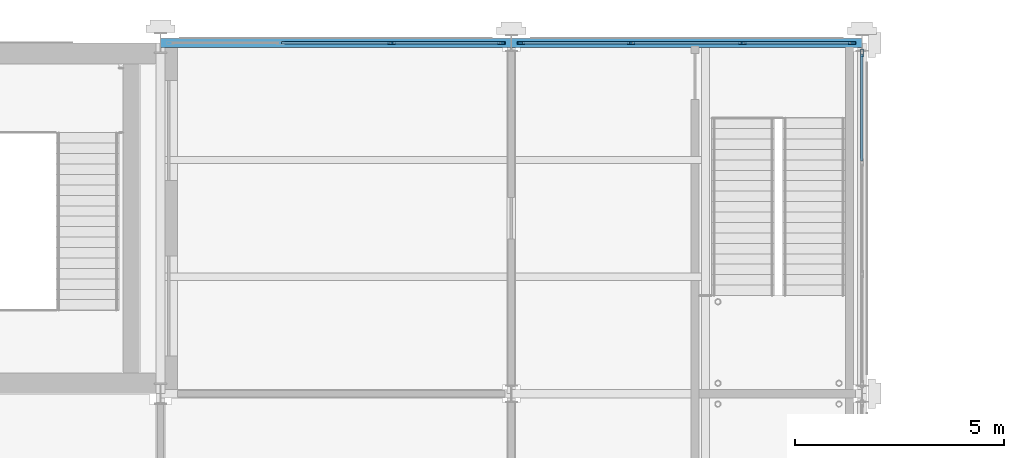
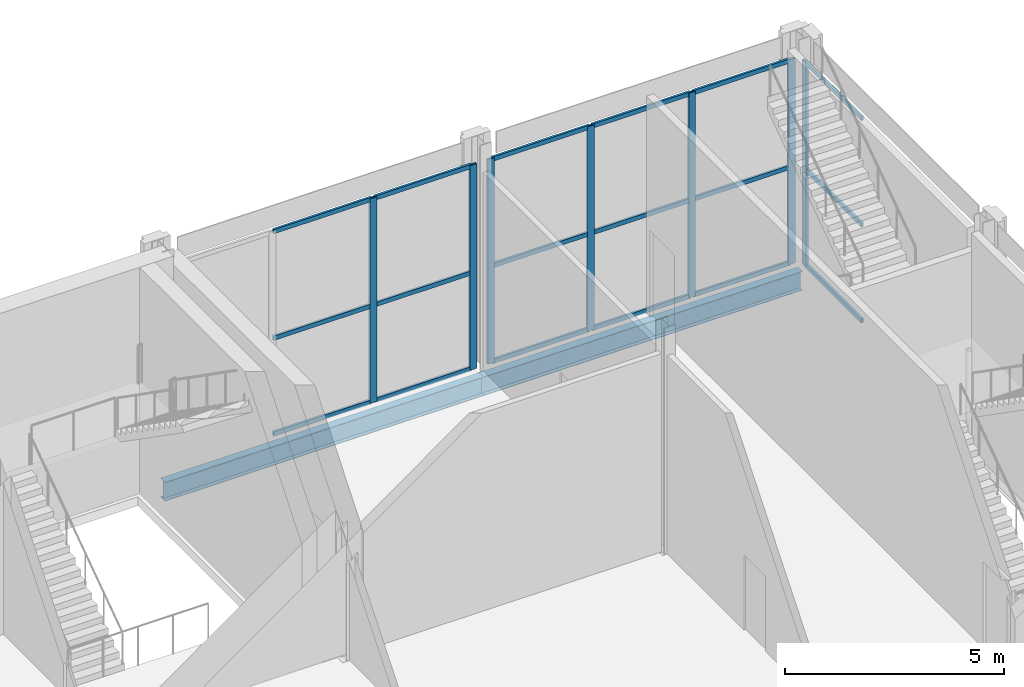
# One storey, part 43 of 77: 25 members, 2 beams, 3 elements without a shape of their own.
"""IFC4 building model written with IfcOpenShell, lengths in metres."""

import ifcopenshell
import ifcopenshell.guid

model = None  # the IFC model being written
_history = None  # IfcOwnerHistory: only IFC2X3 demands one
_inside = {}  # id of a spatial element -> (the spatial element, [elements in it])
_under = {}  # id of a project, library or spatial element -> (it, [spatial elements below it])
_declared = {}  # id of a project -> (the project, [libraries it declares])
_typed = {}  # id of a type object -> (the type object, [elements of that type])
_made_of = {}  # id of a material, layer set ... -> (it, [elements and type objects made of it])


def new_model(schema):
    """Start an empty IFC model of exactly this schema.

    Asked for "IFC4X3", IfcOpenShell would pick the latest addendum, in which some entities
    have other attributes; the version numbers below select the first issue.
    IFC2X3 requires an IfcOwnerHistory on every rooted entity: one is made here for all.
    """
    global model, _history
    if schema == "IFC4X3":
        model = ifcopenshell.file(schema_version=(4, 3, 0, 0))
    else:
        model = ifcopenshell.file(schema=schema)
    _inside.clear()
    _under.clear()
    _declared.clear()
    _typed.clear()
    _made_of.clear()
    _history = None
    if model.schema == "IFC2X3":
        org = make("IfcOrganization", Name="unknown")
        user = make(
            "IfcPersonAndOrganization",
            ThePerson=make("IfcPerson", FamilyName="unknown"),
            TheOrganization=org,
        )
        app = make(
            "IfcApplication",
            ApplicationDeveloper=org,
            Version="unknown",
            ApplicationFullName="unknown",
            ApplicationIdentifier="unknown",
        )
        _history = make(
            "IfcOwnerHistory",
            OwningUser=user,
            OwningApplication=app,
            ChangeAction="ADDED",
            CreationDate=0,
        )
    return model


def make(cls, **values):
    """One entity of the class cls with the attributes given. An attribute that is None is left unset."""
    return model.create_entity(
        cls, **{name: value for name, value in values.items() if value is not None}
    )


def rooted(cls, **values):
    """An entity with a GlobalId (a new one), such as an element, a storey or a relation."""
    return make(cls, GlobalId=ifcopenshell.guid.new(), OwnerHistory=_history, **values)


def si_unit(unit_type, name, prefix=None):
    """IfcSIUnit, for example si_unit("LENGTHUNIT", "METRE", prefix="MILLI")."""
    return make("IfcSIUnit", UnitType=unit_type, Prefix=prefix, Name=name)


def assignment(units):
    """IfcUnitAssignment: the units of a project."""
    return None if units is None else make("IfcUnitAssignment", Units=units)


def point(xyz):
    """IfcCartesianPoint."""
    return None if xyz is None else make("IfcCartesianPoint", Coordinates=xyz)


def direction(xyz):
    """IfcDirection."""
    return None if xyz is None else make("IfcDirection", DirectionRatios=xyz)


def frame(location, z_axis=None, x_axis=None):
    """IfcAxis2Placement3D, a coordinate frame: its origin and axes. An axis left out is left unset."""
    return make(
        "IfcAxis2Placement3D",
        Location=point(location),
        Axis=direction(z_axis),
        RefDirection=direction(x_axis),
    )


def frame_2d(location, x_axis=None):
    """IfcAxis2Placement2D, a coordinate frame in the plane: its origin and x axis."""
    return make(
        "IfcAxis2Placement2D", Location=point(location), RefDirection=direction(x_axis)
    )


def origin():
    """The frame at (0, 0, 0) with its axes left unset."""
    return frame((0.0, 0.0, 0.0))


def origin_2d():
    """The frame at (0, 0) in the plane with its x axis left unset."""
    return frame_2d((0.0, 0.0))


def place(relative_to, where):
    """IfcLocalPlacement: puts the frame where relative to a parent placement (None: the world)."""
    return make(
        "IfcLocalPlacement", PlacementRelTo=relative_to, RelativePlacement=where
    )


def context(
    kind, dimensions, precision=None, world=None, true_north=None, identifier=None
):
    """IfcGeometricRepresentationContext, for example the 3D "Model" context."""
    return make(
        "IfcGeometricRepresentationContext",
        ContextIdentifier=identifier,
        ContextType=kind,
        CoordinateSpaceDimension=dimensions,
        Precision=precision,
        WorldCoordinateSystem=world,
        TrueNorth=true_north,
    )


def subcontext(parent, identifier, kind, view, scale=None):
    """IfcGeometricRepresentationSubContext, for example "Body" below "Model"."""
    return make(
        "IfcGeometricRepresentationSubContext",
        ContextIdentifier=identifier,
        ContextType=kind,
        ParentContext=parent,
        TargetScale=scale,
        TargetView=view,
    )


def project(units=None, contexts=None):
    """IfcProject with its units and contexts."""
    return rooted(
        "IfcProject",
        Name="project",
        RepresentationContexts=contexts,
        UnitsInContext=assignment(units),
    )


def spatial(cls, under=None, at=None, **own):
    """A site, building, storey or space (cls), placed at a placement, below another one or the project."""
    s = rooted(cls, ObjectPlacement=at, **own)
    if under is not None:
        _under.setdefault(under.id(), (under, []))[1].append(s)
    return s


def profile(cls, at=None, kind="AREA", **sizes):
    """A parametric profile (cls). Its sizes go by their IFC names, for example OverallWidth=200.0."""
    return make(cls, ProfileType=kind, Position=at, **sizes)


def hollow_rectangle(**sizes):
    """IfcRectangleHollowProfileDef."""
    return profile("IfcRectangleHollowProfileDef", **sizes)


def i_section(**sizes):
    """IfcIShapeProfileDef."""
    return profile("IfcIShapeProfileDef", **sizes)


def extrude(swept, where, along, depth):
    """IfcExtrudedAreaSolid: the profile swept, set in the frame where, extruded along a direction by depth."""
    return make(
        "IfcExtrudedAreaSolid",
        SweptArea=swept,
        Position=where,
        ExtrudedDirection=direction(along),
        Depth=depth,
    )


def shape(context_of_items, identifier, shape_type, items):
    """IfcShapeRepresentation: the items that make up one representation, for example the "Body"."""
    return make(
        "IfcShapeRepresentation",
        ContextOfItems=context_of_items,
        RepresentationIdentifier=identifier,
        RepresentationType=shape_type,
        Items=items,
    )


def material(Name=None, Category=None):
    """IfcMaterial."""
    return make("IfcMaterial", Name=Name, Category=Category)


def material_profile(
    of_material, cross_section, Name=None, Category=None, Priority=None
):
    """IfcMaterialProfile: a cross section and its material."""
    return make(
        "IfcMaterialProfile",
        Name=Name,
        Material=of_material,
        Profile=cross_section,
        Priority=Priority,
        Category=Category,
    )


def profile_set(profiles, Name=None, composite=None):
    """IfcMaterialProfileSet."""
    return make(
        "IfcMaterialProfileSet",
        Name=Name,
        MaterialProfiles=profiles,
        CompositeProfile=composite,
    )


def made_of(thing, what):
    """Note that an element or type object is made of a material, layer set ...; save() writes the relation."""
    if what is not None:
        _made_of.setdefault(what.id(), (what, []))[1].append(thing)
    return thing


def type_object(cls, material=None, **own):
    """A type object (cls), such as IfcWallType, which elements share."""
    return made_of(rooted(cls, **own), material)


def element(
    cls,
    number,
    at=None,
    inside=None,
    cuts=None,
    type_object=None,
    material=None,
    context=None,
    identifier="Body",
    shape_type=None,
    held_by="IfcProductDefinitionShape",
    body=None,
    shapes=None,
    **own,
):
    """One element of the class cls, such as IfcWall. Its Tag is "e" and its number.

    at: its placement. inside: the storey or other place that contains it. cuts: it is an
    opening in that element (IfcRelVoidsElement). A single representation is given by context,
    identifier, shape_type and body (its items); several are given by shapes. held_by: the class
    of the entity that holds the representations. save() writes the other relations.
    """
    e = rooted(cls, Tag="e%d" % number, ObjectPlacement=at, **own)
    if body is not None:
        shapes = [shape(context, identifier, shape_type, body)]
    if shapes is not None:
        e.Representation = make(held_by, Representations=shapes)
    if inside is not None:
        _inside.setdefault(inside.id(), (inside, []))[1].append(e)
    if cuts is not None:
        rooted(
            "IfcRelVoidsElement", RelatingBuildingElement=cuts, RelatedOpeningElement=e
        )
    if type_object is not None:
        _typed.setdefault(type_object.id(), (type_object, []))[1].append(e)
    return made_of(e, material)


def aggregate(whole, parts):
    """IfcRelAggregates: a whole, such as a stair, and the parts it consists of."""
    return rooted("IfcRelAggregates", RelatingObject=whole, RelatedObjects=parts)


def save(model, path):
    """Write the relations noted so far, then the file.

    IfcRelAggregates (storeys below a building ...), IfcRelContainedInSpatialStructure (elements
    in a storey), IfcRelDefinesByType, IfcRelAssociatesMaterial and IfcRelDeclares: one each for
    every whole, place, type object, material and project.
    """
    for whole, parts in _under.values():
        aggregate(whole, parts)
    for where, things in _inside.values():
        rooted(
            "IfcRelContainedInSpatialStructure",
            RelatedElements=things,
            RelatingStructure=where,
        )
    for kind, things in _typed.values():
        rooted("IfcRelDefinesByType", RelatedObjects=things, RelatingType=kind)
    for what, things in _made_of.values():
        rooted("IfcRelAssociatesMaterial", RelatedObjects=things, RelatingMaterial=what)
    for by, libraries in _declared.values():
        rooted("IfcRelDeclares", RelatingContext=by, RelatedDefinitions=libraries)
    model.write(path)


model = new_model("IFC4")

# Units and contexts
model_context = context("Model", 3, precision=1e-05, world=origin(), true_north=direction((0.0, 1.0)))
body_context = subcontext(model_context, "Body", "Model", "MODEL_VIEW")
ifc_project = project(units=[si_unit("LENGTHUNIT", "METRE"), si_unit("AREAUNIT", "SQUARE_METRE"), si_unit("VOLUMEUNIT", "CUBIC_METRE"), si_unit("PLANEANGLEUNIT", "RADIAN"), si_unit("MASSUNIT", "GRAM", prefix="KILO")], contexts=[model_context])

# Site, building, storey
site_placement = place(None, origin())
site = spatial("IfcSite", under=ifc_project, at=site_placement, CompositionType="ELEMENT")
building_placement = place(site_placement, origin())
building = spatial("IfcBuilding", under=site, at=building_placement, Name="Catenary Quay Ferry Terminal", CompositionType="ELEMENT")
storey_placement = place(building_placement, frame((0.0, 0.0, 10.800048828125)))
storey = spatial("IfcBuildingStorey", under=building, at=storey_placement, Name="L02", CompositionType="ELEMENT", Elevation=10.800048828125)

# Beams
ifc_material_1 = material(Name="Steel S355", Category="steel")
ifc_material_profile_1 = material_profile(ifc_material_1, i_section(OverallWidth=0.208740234375, OverallDepth=0.5283203125, WebThickness=0.009521484375, FlangeThickness=0.01318359375, at=origin_2d()), Name="UB 533x210x82")
ifc_profile_set_1 = profile_set([ifc_material_profile_1], Name="Steel S355")
beam_type = type_object("IfcBeamType", Name="B5 UB 533x210x82", PredefinedType="BEAM", material=ifc_profile_set_1)
beam_1_placement = place(storey_placement, frame((50.39990234375, 210.0, -0.51416015625), z_axis=(1.0, 0.0, 0.0), x_axis=(0.0, 1.0, 0.0)))
element("IfcBeam", 1, at=beam_1_placement, inside=storey, type_object=beam_type, Name="Beam B5-022", PredefinedType="BEAM", context=body_context, shape_type="SweptSolid", body=[
    extrude(i_section(OverallWidth=0.208740234375, OverallDepth=0.5283203125, WebThickness=0.009521484375, FlangeThickness=0.01318359375, at=origin_2d()), origin(), (0.0, 0.0, 1.0), 8.400146484375),
])
beam_2_placement = place(storey_placement, frame((58.800048828125, 210.0, -0.51416015625), z_axis=(1.0, 0.0, 0.0), x_axis=(0.0, 1.0, 0.0)))
element("IfcBeam", 2, at=beam_2_placement, inside=storey, type_object=beam_type, Name="Beam B5-023", PredefinedType="BEAM", context=body_context, shape_type="SweptSolid", body=[
    extrude(i_section(OverallWidth=0.208740234375, OverallDepth=0.5283203125, WebThickness=0.009521484375, FlangeThickness=0.01318359375, at=origin_2d()), origin(), (0.0, 0.0, 1.0), 8.39990234375),
])

# Curtain wall, member
ifc_material_2 = material(Name="Aluminium and glass", Category="aluminium")
curtain_wall_type = type_object("IfcCurtainWallType", Name="CWW2", PredefinedType="NOTDEFINED", material=ifc_material_2)
curtain_wall_1_placement = place(storey_placement, origin())
curtain_wall_1 = element("IfcCurtainWall", 3, at=curtain_wall_1_placement, inside=storey, type_object=curtain_wall_type, Name="Wing curtain wall CW135", PredefinedType="NOTDEFINED")
ifc_material_3 = material(Name="Aluminium", Category="aluminium")
ifc_material_profile_2 = material_profile(ifc_material_3, hollow_rectangle(XDim=0.070068359375, YDim=0.179931640625, WallThickness=0.006103515625, at=origin_2d()), Name="MU3")
ifc_profile_set_2 = profile_set([ifc_material_profile_2], Name="Aluminium")
member_type_1 = type_object("IfcMemberType", Name="MU3", PredefinedType="MULLION", material=ifc_profile_set_2)
member_1_placement = place(storey_placement, frame((67.199951171875, 209.764892578125, 0.0), z_axis=(0.0, 0.0, 1.0), x_axis=(-1.0, 0.0, 0.0)))
member_1 = element("IfcMember", 4, at=member_1_placement, type_object=member_type_1, Name="CW135 mullion 4", PredefinedType="MULLION", context=body_context, shape_type="SweptSolid", body=[
    extrude(hollow_rectangle(XDim=0.070068359375, YDim=0.179931640625, WallThickness=0.006103515625, at=origin_2d()), origin(), (0.0, 0.0, 1.0), 5.699951171875),
])

# Curtain wall, members
curtain_wall_2_placement = place(storey_placement, origin())
curtain_wall_2 = element("IfcCurtainWall", 5, at=curtain_wall_2_placement, inside=storey, type_object=curtain_wall_type, Name="Wing curtain wall CW136", PredefinedType="NOTDEFINED")
member_2_placement = place(storey_placement, frame((55.933349609375, 210.0, 0.0), z_axis=(0.0, 0.0, 1.0), x_axis=(0.0, 1.0, 0.0)))
member_2 = element("IfcMember", 6, at=member_2_placement, type_object=member_type_1, Name="CW136 mullion 3", PredefinedType="MULLION", context=body_context, shape_type="SweptSolid", body=[
    extrude(hollow_rectangle(XDim=0.070068359375, YDim=0.179931640625, WallThickness=0.006103515625, at=origin_2d()), origin(), (0.0, 0.0, 1.0), 5.699951171875),
])
member_3_placement = place(storey_placement, frame((58.56494140625, 210.0, 0.0), z_axis=(0.0, 0.0, 1.0), x_axis=(0.0, 1.0, 0.0)))
member_3 = element("IfcMember", 7, at=member_3_placement, type_object=member_type_1, Name="CW136 mullion 4", PredefinedType="MULLION", context=body_context, shape_type="SweptSolid", body=[
    extrude(hollow_rectangle(XDim=0.070068359375, YDim=0.179931640625, WallThickness=0.006103515625, at=origin_2d()), origin(), (0.0, 0.0, 1.0), 5.699951171875),
])

curtain_wall_3_placement = place(storey_placement, origin())
curtain_wall_3 = element("IfcCurtainWall", 8, at=curtain_wall_3_placement, inside=storey, type_object=curtain_wall_type, Name="Wing curtain wall CW137", PredefinedType="NOTDEFINED")
member_4_placement = place(storey_placement, frame((59.034912109375, 210.0, 0.0), z_axis=(0.0, 0.0, 1.0), x_axis=(0.0, 1.0, 0.0)))
member_4 = element("IfcMember", 9, at=member_4_placement, type_object=member_type_1, Name="CW137 mullion 1", PredefinedType="MULLION", context=body_context, shape_type="SweptSolid", body=[
    extrude(hollow_rectangle(XDim=0.070068359375, YDim=0.179931640625, WallThickness=0.006103515625, at=origin_2d()), origin(), (0.0, 0.0, 1.0), 5.699951171875),
])
member_5_placement = place(storey_placement, frame((61.666748046875, 210.0, 0.0), z_axis=(0.0, 0.0, 1.0), x_axis=(0.0, 1.0, 0.0)))
member_5 = element("IfcMember", 10, at=member_5_placement, type_object=member_type_1, Name="CW137 mullion 2", PredefinedType="MULLION", context=body_context, shape_type="SweptSolid", body=[
    extrude(hollow_rectangle(XDim=0.070068359375, YDim=0.179931640625, WallThickness=0.006103515625, at=origin_2d()), origin(), (0.0, 0.0, 1.0), 5.699951171875),
])
member_6_placement = place(storey_placement, frame((64.333251953125, 210.0, 0.0), z_axis=(0.0, 0.0, 1.0), x_axis=(0.0, 1.0, 0.0)))
member_6 = element("IfcMember", 11, at=member_6_placement, type_object=member_type_1, Name="CW137 mullion 3", PredefinedType="MULLION", context=body_context, shape_type="SweptSolid", body=[
    extrude(hollow_rectangle(XDim=0.070068359375, YDim=0.179931640625, WallThickness=0.006103515625, at=origin_2d()), origin(), (0.0, 0.0, 1.0), 5.699951171875),
])
member_7_placement = place(storey_placement, frame((66.965087890625, 210.0, 0.0), z_axis=(0.0, 0.0, 1.0), x_axis=(0.0, 1.0, 0.0)))
member_7 = element("IfcMember", 12, at=member_7_placement, type_object=member_type_1, Name="CW137 mullion 4", PredefinedType="MULLION", context=body_context, shape_type="SweptSolid", body=[
    extrude(hollow_rectangle(XDim=0.070068359375, YDim=0.179931640625, WallThickness=0.006103515625, at=origin_2d()), origin(), (0.0, 0.0, 1.0), 5.699951171875),
])

# Member
ifc_material_4 = material(Name="Aluminium", Category="aluminium")
ifc_material_profile_3 = material_profile(ifc_material_4, hollow_rectangle(XDim=0.06005859375, YDim=0.1201171875, WallThickness=0.0048828125, at=origin_2d()), Name="TR3")
ifc_profile_set_3 = profile_set([ifc_material_profile_3], Name="Aluminium")
member_type_2 = type_object("IfcMemberType", Name="TR3", PredefinedType="USERDEFINED", material=ifc_profile_set_3)
member_8_placement = place(storey_placement, frame((67.199951171875, 207.168212890625, 0.030029296875), z_axis=(0.0, 1.0, 0.0), x_axis=(-1.0, 0.0, 0.0)))
member_8 = element("IfcMember", 13, at=member_8_placement, type_object=member_type_2, Name="CW135 transom 3.1", ObjectType="TRANSOM", PredefinedType="USERDEFINED", context=body_context, shape_type="SweptSolid", body=[
    extrude(hollow_rectangle(XDim=0.06005859375, YDim=0.1201171875, WallThickness=0.0048828125, at=origin_2d()), origin(), (0.0, 0.0, 1.0), 2.561767578125),
])

member_9_placement = place(storey_placement, frame((67.199951171875, 207.168212890625, 2.699951171875), z_axis=(0.0, 1.0, 0.0), x_axis=(-1.0, 0.0, 0.0)))
member_9 = element("IfcMember", 14, at=member_9_placement, type_object=member_type_2, Name="CW135 transom 3.2", ObjectType="TRANSOM", PredefinedType="USERDEFINED", context=body_context, shape_type="SweptSolid", body=[
    extrude(hollow_rectangle(XDim=0.06005859375, YDim=0.1201171875, WallThickness=0.0048828125, at=origin_2d()), origin(), (0.0, 0.0, 1.0), 2.561767578125),
])

member_10_placement = place(storey_placement, frame((67.199951171875, 207.168212890625, 5.669921875), z_axis=(0.0, 1.0, 0.0), x_axis=(-1.0, 0.0, 0.0)))
member_10 = element("IfcMember", 15, at=member_10_placement, type_object=member_type_2, Name="CW135 transom 3.3", ObjectType="TRANSOM", PredefinedType="USERDEFINED", context=body_context, shape_type="SweptSolid", body=[
    extrude(hollow_rectangle(XDim=0.06005859375, YDim=0.1201171875, WallThickness=0.0048828125, at=origin_2d()), origin(), (0.0, 0.0, 1.0), 2.561767578125),
])

aggregate(curtain_wall_1, [member_1, member_8, member_9, member_10])

member_11_placement = place(storey_placement, frame((53.3017578125, 210.0, 0.030029296875), z_axis=(1.0, 0.0, 0.0), x_axis=(0.0, 1.0, 0.0)))
member_11 = element("IfcMember", 16, at=member_11_placement, type_object=member_type_2, Name="CW136 transom 2.1", ObjectType="TRANSOM", PredefinedType="USERDEFINED", context=body_context, shape_type="SweptSolid", body=[
    extrude(hollow_rectangle(XDim=0.06005859375, YDim=0.1201171875, WallThickness=0.0048828125, at=origin_2d()), origin(), (0.0, 0.0, 1.0), 2.5966796875),
])

member_12_placement = place(storey_placement, frame((53.3017578125, 210.0, 2.699951171875), z_axis=(1.0, 0.0, 0.0), x_axis=(0.0, 1.0, 0.0)))
member_12 = element("IfcMember", 17, at=member_12_placement, type_object=member_type_2, Name="CW136 transom 2.2", ObjectType="TRANSOM", PredefinedType="USERDEFINED", context=body_context, shape_type="SweptSolid", body=[
    extrude(hollow_rectangle(XDim=0.06005859375, YDim=0.1201171875, WallThickness=0.0048828125, at=origin_2d()), origin(), (0.0, 0.0, 1.0), 2.5966796875),
])

member_13_placement = place(storey_placement, frame((53.3017578125, 210.0, 5.669921875), z_axis=(1.0, 0.0, 0.0), x_axis=(0.0, 1.0, 0.0)))
member_13 = element("IfcMember", 18, at=member_13_placement, type_object=member_type_2, Name="CW136 transom 2.3", ObjectType="TRANSOM", PredefinedType="USERDEFINED", context=body_context, shape_type="SweptSolid", body=[
    extrude(hollow_rectangle(XDim=0.06005859375, YDim=0.1201171875, WallThickness=0.0048828125, at=origin_2d()), origin(), (0.0, 0.0, 1.0), 2.5966796875),
])

member_14_placement = place(storey_placement, frame((55.96826171875, 210.0, 0.030029296875), z_axis=(1.0, 0.0, 0.0), x_axis=(0.0, 1.0, 0.0)))
member_14 = element("IfcMember", 19, at=member_14_placement, type_object=member_type_2, Name="CW136 transom 3.1", ObjectType="TRANSOM", PredefinedType="USERDEFINED", context=body_context, shape_type="SweptSolid", body=[
    extrude(hollow_rectangle(XDim=0.06005859375, YDim=0.1201171875, WallThickness=0.0048828125, at=origin_2d()), origin(), (0.0, 0.0, 1.0), 2.561767578125),
])

member_15_placement = place(storey_placement, frame((55.96826171875, 210.0, 2.699951171875), z_axis=(1.0, 0.0, 0.0), x_axis=(0.0, 1.0, 0.0)))
member_15 = element("IfcMember", 20, at=member_15_placement, type_object=member_type_2, Name="CW136 transom 3.2", ObjectType="TRANSOM", PredefinedType="USERDEFINED", context=body_context, shape_type="SweptSolid", body=[
    extrude(hollow_rectangle(XDim=0.06005859375, YDim=0.1201171875, WallThickness=0.0048828125, at=origin_2d()), origin(), (0.0, 0.0, 1.0), 2.561767578125),
])

member_16_placement = place(storey_placement, frame((55.96826171875, 210.0, 5.669921875), z_axis=(1.0, 0.0, 0.0), x_axis=(0.0, 1.0, 0.0)))
member_16 = element("IfcMember", 21, at=member_16_placement, type_object=member_type_2, Name="CW136 transom 3.3", ObjectType="TRANSOM", PredefinedType="USERDEFINED", context=body_context, shape_type="SweptSolid", body=[
    extrude(hollow_rectangle(XDim=0.06005859375, YDim=0.1201171875, WallThickness=0.0048828125, at=origin_2d()), origin(), (0.0, 0.0, 1.0), 2.561767578125),
])

aggregate(curtain_wall_2, [member_2, member_3, member_11, member_12, member_13, member_14, member_15, member_16])

member_17_placement = place(storey_placement, frame((59.070068359375, 210.0, 0.030029296875), z_axis=(1.0, 0.0, 0.0), x_axis=(0.0, 1.0, 0.0)))
member_17 = element("IfcMember", 22, at=member_17_placement, type_object=member_type_2, Name="CW137 transom 1.1", ObjectType="TRANSOM", PredefinedType="USERDEFINED", context=body_context, shape_type="SweptSolid", body=[
    extrude(hollow_rectangle(XDim=0.06005859375, YDim=0.1201171875, WallThickness=0.0048828125, at=origin_2d()), origin(), (0.0, 0.0, 1.0), 2.5615234375),
])

member_18_placement = place(storey_placement, frame((59.070068359375, 210.0, 2.699951171875), z_axis=(1.0, 0.0, 0.0), x_axis=(0.0, 1.0, 0.0)))
member_18 = element("IfcMember", 23, at=member_18_placement, type_object=member_type_2, Name="CW137 transom 1.2", ObjectType="TRANSOM", PredefinedType="USERDEFINED", context=body_context, shape_type="SweptSolid", body=[
    extrude(hollow_rectangle(XDim=0.06005859375, YDim=0.1201171875, WallThickness=0.0048828125, at=origin_2d()), origin(), (0.0, 0.0, 1.0), 2.5615234375),
])

member_19_placement = place(storey_placement, frame((59.070068359375, 210.0, 5.669921875), z_axis=(1.0, 0.0, 0.0), x_axis=(0.0, 1.0, 0.0)))
member_19 = element("IfcMember", 24, at=member_19_placement, type_object=member_type_2, Name="CW137 transom 1.3", ObjectType="TRANSOM", PredefinedType="USERDEFINED", context=body_context, shape_type="SweptSolid", body=[
    extrude(hollow_rectangle(XDim=0.06005859375, YDim=0.1201171875, WallThickness=0.0048828125, at=origin_2d()), origin(), (0.0, 0.0, 1.0), 2.5615234375),
])

member_20_placement = place(storey_placement, frame((61.70166015625, 210.0, 0.030029296875), z_axis=(1.0, 0.0, 0.0), x_axis=(0.0, 1.0, 0.0)))
member_20 = element("IfcMember", 25, at=member_20_placement, type_object=member_type_2, Name="CW137 transom 2.1", ObjectType="TRANSOM", PredefinedType="USERDEFINED", context=body_context, shape_type="SweptSolid", body=[
    extrude(hollow_rectangle(XDim=0.06005859375, YDim=0.1201171875, WallThickness=0.0048828125, at=origin_2d()), origin(), (0.0, 0.0, 1.0), 2.5966796875),
])

member_21_placement = place(storey_placement, frame((61.70166015625, 210.0, 2.699951171875), z_axis=(1.0, 0.0, 0.0), x_axis=(0.0, 1.0, 0.0)))
member_21 = element("IfcMember", 26, at=member_21_placement, type_object=member_type_2, Name="CW137 transom 2.2", ObjectType="TRANSOM", PredefinedType="USERDEFINED", context=body_context, shape_type="SweptSolid", body=[
    extrude(hollow_rectangle(XDim=0.06005859375, YDim=0.1201171875, WallThickness=0.0048828125, at=origin_2d()), origin(), (0.0, 0.0, 1.0), 2.5966796875),
])

member_22_placement = place(storey_placement, frame((61.70166015625, 210.0, 5.669921875), z_axis=(1.0, 0.0, 0.0), x_axis=(0.0, 1.0, 0.0)))
member_22 = element("IfcMember", 27, at=member_22_placement, type_object=member_type_2, Name="CW137 transom 2.3", ObjectType="TRANSOM", PredefinedType="USERDEFINED", context=body_context, shape_type="SweptSolid", body=[
    extrude(hollow_rectangle(XDim=0.06005859375, YDim=0.1201171875, WallThickness=0.0048828125, at=origin_2d()), origin(), (0.0, 0.0, 1.0), 2.5966796875),
])

member_23_placement = place(storey_placement, frame((64.368408203125, 210.0, 0.030029296875), z_axis=(1.0, 0.0, 0.0), x_axis=(0.0, 1.0, 0.0)))
member_23 = element("IfcMember", 28, at=member_23_placement, type_object=member_type_2, Name="CW137 transom 3.1", ObjectType="TRANSOM", PredefinedType="USERDEFINED", context=body_context, shape_type="SweptSolid", body=[
    extrude(hollow_rectangle(XDim=0.06005859375, YDim=0.1201171875, WallThickness=0.0048828125, at=origin_2d()), origin(), (0.0, 0.0, 1.0), 2.5615234375),
])

member_24_placement = place(storey_placement, frame((64.368408203125, 210.0, 2.699951171875), z_axis=(1.0, 0.0, 0.0), x_axis=(0.0, 1.0, 0.0)))
member_24 = element("IfcMember", 29, at=member_24_placement, type_object=member_type_2, Name="CW137 transom 3.2", ObjectType="TRANSOM", PredefinedType="USERDEFINED", context=body_context, shape_type="SweptSolid", body=[
    extrude(hollow_rectangle(XDim=0.06005859375, YDim=0.1201171875, WallThickness=0.0048828125, at=origin_2d()), origin(), (0.0, 0.0, 1.0), 2.5615234375),
])

member_25_placement = place(storey_placement, frame((64.368408203125, 210.0, 5.669921875), z_axis=(1.0, 0.0, 0.0), x_axis=(0.0, 1.0, 0.0)))
member_25 = element("IfcMember", 30, at=member_25_placement, type_object=member_type_2, Name="CW137 transom 3.3", ObjectType="TRANSOM", PredefinedType="USERDEFINED", context=body_context, shape_type="SweptSolid", body=[
    extrude(hollow_rectangle(XDim=0.06005859375, YDim=0.1201171875, WallThickness=0.0048828125, at=origin_2d()), origin(), (0.0, 0.0, 1.0), 2.5615234375),
])

aggregate(curtain_wall_3, [member_4, member_5, member_6, member_7, member_17, member_18, member_19, member_20, member_21, member_22, member_23, member_24, member_25])

save(model, "model.ifc")
